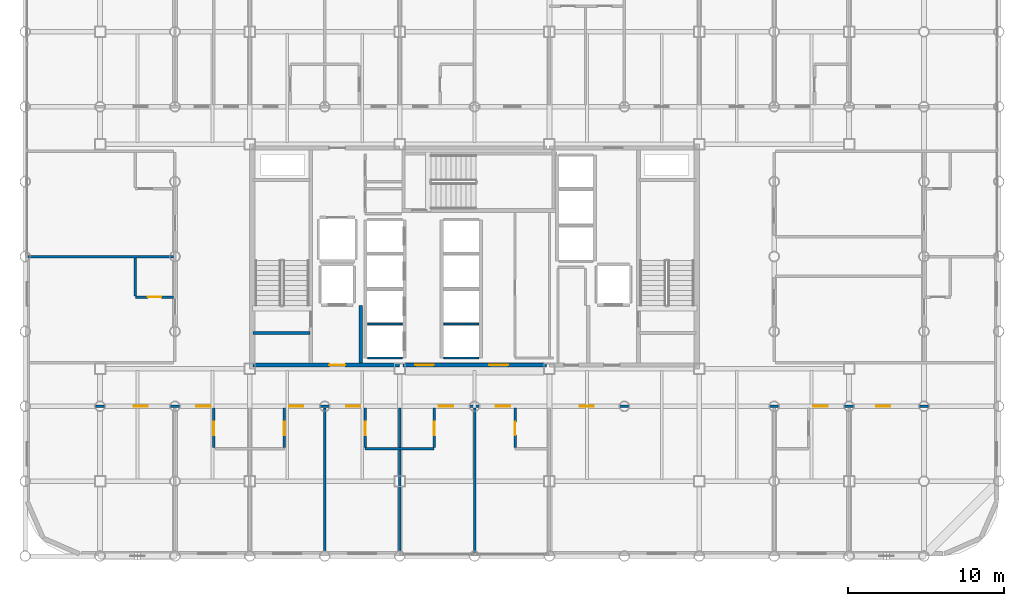
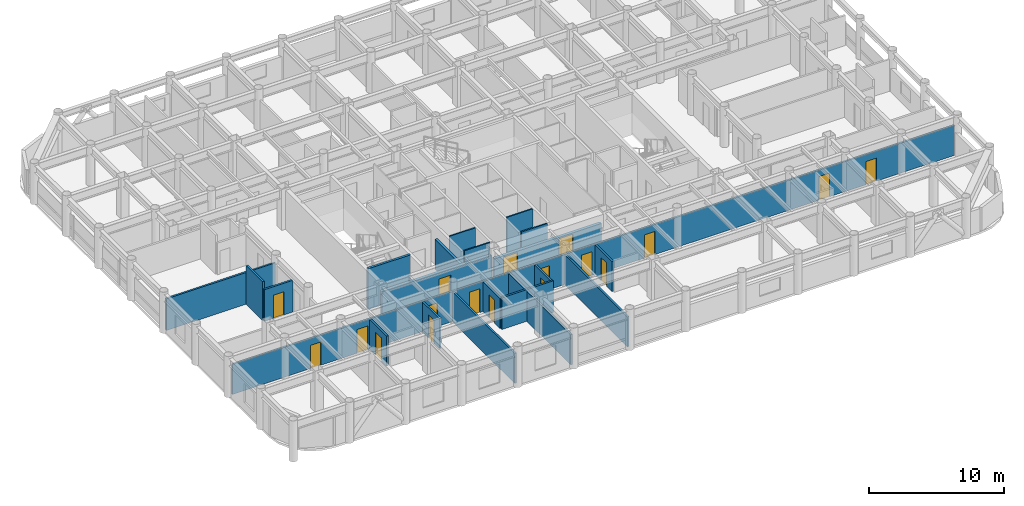
# One storey, part 17 of 22: 21 walls, 18 doors, 18 openings.
"""IFC4 building model written with IfcOpenShell, lengths in metres."""

import ifcopenshell
import ifcopenshell.guid

model = None  # the IFC model being written
_history = None  # IfcOwnerHistory: only IFC2X3 demands one
_inside = {}  # id of a spatial element -> (the spatial element, [elements in it])
_under = {}  # id of a project, library or spatial element -> (it, [spatial elements below it])
_declared = {}  # id of a project -> (the project, [libraries it declares])
_typed = {}  # id of a type object -> (the type object, [elements of that type])
_made_of = {}  # id of a material, layer set ... -> (it, [elements and type objects made of it])


def new_model(schema):
    """Start an empty IFC model of exactly this schema.

    Asked for "IFC4X3", IfcOpenShell would pick the latest addendum, in which some entities
    have other attributes; the version numbers below select the first issue.
    IFC2X3 requires an IfcOwnerHistory on every rooted entity: one is made here for all.
    """
    global model, _history
    if schema == "IFC4X3":
        model = ifcopenshell.file(schema_version=(4, 3, 0, 0))
    else:
        model = ifcopenshell.file(schema=schema)
    _inside.clear()
    _under.clear()
    _declared.clear()
    _typed.clear()
    _made_of.clear()
    _history = None
    if model.schema == "IFC2X3":
        org = make("IfcOrganization", Name="unknown")
        user = make(
            "IfcPersonAndOrganization",
            ThePerson=make("IfcPerson", FamilyName="unknown"),
            TheOrganization=org,
        )
        app = make(
            "IfcApplication",
            ApplicationDeveloper=org,
            Version="unknown",
            ApplicationFullName="unknown",
            ApplicationIdentifier="unknown",
        )
        _history = make(
            "IfcOwnerHistory",
            OwningUser=user,
            OwningApplication=app,
            ChangeAction="ADDED",
            CreationDate=0,
        )
    return model


def make(cls, **values):
    """One entity of the class cls with the attributes given. An attribute that is None is left unset."""
    return model.create_entity(
        cls, **{name: value for name, value in values.items() if value is not None}
    )


def rooted(cls, **values):
    """An entity with a GlobalId (a new one), such as an element, a storey or a relation."""
    return make(cls, GlobalId=ifcopenshell.guid.new(), OwnerHistory=_history, **values)


def si_unit(unit_type, name, prefix=None):
    """IfcSIUnit, for example si_unit("LENGTHUNIT", "METRE", prefix="MILLI")."""
    return make("IfcSIUnit", UnitType=unit_type, Prefix=prefix, Name=name)


def assignment(units):
    """IfcUnitAssignment: the units of a project."""
    return None if units is None else make("IfcUnitAssignment", Units=units)


def point(xyz):
    """IfcCartesianPoint."""
    return None if xyz is None else make("IfcCartesianPoint", Coordinates=xyz)


def direction(xyz):
    """IfcDirection."""
    return None if xyz is None else make("IfcDirection", DirectionRatios=xyz)


def frame(location, z_axis=None, x_axis=None):
    """IfcAxis2Placement3D, a coordinate frame: its origin and axes. An axis left out is left unset."""
    return make(
        "IfcAxis2Placement3D",
        Location=point(location),
        Axis=direction(z_axis),
        RefDirection=direction(x_axis),
    )


def frame_2d(location, x_axis=None):
    """IfcAxis2Placement2D, a coordinate frame in the plane: its origin and x axis."""
    return make(
        "IfcAxis2Placement2D", Location=point(location), RefDirection=direction(x_axis)
    )


def origin():
    """The frame at (0, 0, 0) with its axes left unset."""
    return frame((0.0, 0.0, 0.0))


def place(relative_to, where):
    """IfcLocalPlacement: puts the frame where relative to a parent placement (None: the world)."""
    return make(
        "IfcLocalPlacement", PlacementRelTo=relative_to, RelativePlacement=where
    )


def context(
    kind, dimensions, precision=None, world=None, true_north=None, identifier=None
):
    """IfcGeometricRepresentationContext, for example the 3D "Model" context."""
    return make(
        "IfcGeometricRepresentationContext",
        ContextIdentifier=identifier,
        ContextType=kind,
        CoordinateSpaceDimension=dimensions,
        Precision=precision,
        WorldCoordinateSystem=world,
        TrueNorth=true_north,
    )


def subcontext(parent, identifier, kind, view, scale=None):
    """IfcGeometricRepresentationSubContext, for example "Body" below "Model"."""
    return make(
        "IfcGeometricRepresentationSubContext",
        ContextIdentifier=identifier,
        ContextType=kind,
        ParentContext=parent,
        TargetScale=scale,
        TargetView=view,
    )


def project(units=None, contexts=None):
    """IfcProject with its units and contexts."""
    return rooted(
        "IfcProject",
        Name="project",
        RepresentationContexts=contexts,
        UnitsInContext=assignment(units),
    )


def spatial(cls, under=None, at=None, **own):
    """A site, building, storey or space (cls), placed at a placement, below another one or the project."""
    s = rooted(cls, ObjectPlacement=at, **own)
    if under is not None:
        _under.setdefault(under.id(), (under, []))[1].append(s)
    return s


def profile(cls, at=None, kind="AREA", **sizes):
    """A parametric profile (cls). Its sizes go by their IFC names, for example OverallWidth=200.0."""
    return make(cls, ProfileType=kind, Position=at, **sizes)


def rectangle(**sizes):
    """IfcRectangleProfileDef."""
    return profile("IfcRectangleProfileDef", **sizes)


def extrude(swept, where, along, depth):
    """IfcExtrudedAreaSolid: the profile swept, set in the frame where, extruded along a direction by depth."""
    return make(
        "IfcExtrudedAreaSolid",
        SweptArea=swept,
        Position=where,
        ExtrudedDirection=direction(along),
        Depth=depth,
    )


def shape(context_of_items, identifier, shape_type, items):
    """IfcShapeRepresentation: the items that make up one representation, for example the "Body"."""
    return make(
        "IfcShapeRepresentation",
        ContextOfItems=context_of_items,
        RepresentationIdentifier=identifier,
        RepresentationType=shape_type,
        Items=items,
    )


def material(Name=None, Category=None):
    """IfcMaterial."""
    return make("IfcMaterial", Name=Name, Category=Category)


def layer(
    of_material, thickness, ventilated=None, Name=None, Category=None, Priority=None
):
    """IfcMaterialLayer: one layer of a wall or slab, of a material (None: an air gap)."""
    return make(
        "IfcMaterialLayer",
        Material=of_material,
        LayerThickness=thickness,
        IsVentilated=ventilated,
        Name=Name,
        Category=Category,
        Priority=Priority,
    )


def layer_set(layers, Name=None):
    """IfcMaterialLayerSet."""
    return make("IfcMaterialLayerSet", MaterialLayers=layers, LayerSetName=Name)


def made_of(thing, what):
    """Note that an element or type object is made of a material, layer set ...; save() writes the relation."""
    if what is not None:
        _made_of.setdefault(what.id(), (what, []))[1].append(thing)
    return thing


def type_object(cls, material=None, **own):
    """A type object (cls), such as IfcWallType, which elements share."""
    return made_of(rooted(cls, **own), material)


def element(
    cls,
    number,
    at=None,
    inside=None,
    cuts=None,
    type_object=None,
    material=None,
    context=None,
    identifier="Body",
    shape_type=None,
    held_by="IfcProductDefinitionShape",
    body=None,
    shapes=None,
    **own,
):
    """One element of the class cls, such as IfcWall. Its Tag is "e" and its number.

    at: its placement. inside: the storey or other place that contains it. cuts: it is an
    opening in that element (IfcRelVoidsElement). A single representation is given by context,
    identifier, shape_type and body (its items); several are given by shapes. held_by: the class
    of the entity that holds the representations. save() writes the other relations.
    """
    e = rooted(cls, Tag="e%d" % number, ObjectPlacement=at, **own)
    if body is not None:
        shapes = [shape(context, identifier, shape_type, body)]
    if shapes is not None:
        e.Representation = make(held_by, Representations=shapes)
    if inside is not None:
        _inside.setdefault(inside.id(), (inside, []))[1].append(e)
    if cuts is not None:
        rooted(
            "IfcRelVoidsElement", RelatingBuildingElement=cuts, RelatedOpeningElement=e
        )
    if type_object is not None:
        _typed.setdefault(type_object.id(), (type_object, []))[1].append(e)
    return made_of(e, material)


def fill(opening, filler):
    """IfcRelFillsElement: the door or window that sits in an opening."""
    return rooted(
        "IfcRelFillsElement",
        RelatingOpeningElement=opening,
        RelatedBuildingElement=filler,
    )


def aggregate(whole, parts):
    """IfcRelAggregates: a whole, such as a stair, and the parts it consists of."""
    return rooted("IfcRelAggregates", RelatingObject=whole, RelatedObjects=parts)


def save(model, path):
    """Write the relations noted so far, then the file.

    IfcRelAggregates (storeys below a building ...), IfcRelContainedInSpatialStructure (elements
    in a storey), IfcRelDefinesByType, IfcRelAssociatesMaterial and IfcRelDeclares: one each for
    every whole, place, type object, material and project.
    """
    for whole, parts in _under.values():
        aggregate(whole, parts)
    for where, things in _inside.values():
        rooted(
            "IfcRelContainedInSpatialStructure",
            RelatedElements=things,
            RelatingStructure=where,
        )
    for kind, things in _typed.values():
        rooted("IfcRelDefinesByType", RelatedObjects=things, RelatingType=kind)
    for what, things in _made_of.values():
        rooted("IfcRelAssociatesMaterial", RelatedObjects=things, RelatingMaterial=what)
    for by, libraries in _declared.values():
        rooted("IfcRelDeclares", RelatingContext=by, RelatedDefinitions=libraries)
    model.write(path)


model = new_model("IFC4")

# Units and contexts
model_context = context("Model", 3, precision=1e-05, world=origin(), true_north=direction((0.0, 1.0)))
body_context = subcontext(model_context, "Body", "Model", "MODEL_VIEW")
ifc_project = project(units=[si_unit("LENGTHUNIT", "METRE"), si_unit("AREAUNIT", "SQUARE_METRE"), si_unit("VOLUMEUNIT", "CUBIC_METRE"), si_unit("PLANEANGLEUNIT", "RADIAN"), si_unit("MASSUNIT", "GRAM", prefix="KILO")], contexts=[model_context])

# Site, building, storey
site_placement = place(None, origin())
site = spatial("IfcSite", under=ifc_project, at=site_placement, CompositionType="ELEMENT")
building_placement = place(site_placement, origin())
building = spatial("IfcBuilding", under=site, at=building_placement, Name="Kallvorn Hotel Tower", CompositionType="ELEMENT")
storey_placement = place(building_placement, frame((0.0, 0.0, 106.300048828125)))
storey = spatial("IfcBuildingStorey", under=building, at=storey_placement, Name="L25", CompositionType="ELEMENT", Elevation=106.300048828125)

# Wall
ifc_material_1 = material(Name="Fire-rated double-layer acoustic gypsum drywall EI 60")
ifc_layer_1 = layer(ifc_material_1, 0.159912109375)
ifc_layer_set_1 = layer_set([ifc_layer_1], Name="WL_DEMISE_160")
wall_type_1 = type_object("IfcWallType", Name="WL_DEMISE_160", PredefinedType="PARTITIONING", material=ifc_layer_set_1)
wall_1_placement = place(storey_placement, frame((-7.010009765625, -12.320068359375, 0.0), z_axis=(0.0, 0.0, 1.0), x_axis=(1.0, 0.0, 0.0)))
element("IfcWall", 1, at=wall_1_placement, inside=storey, type_object=wall_type_1, Name="L25 Suite 2507 Superior Twin Room Partition", PredefinedType="PARTITIONING", context=body_context, shape_type="SweptSolid", body=[
    extrude(rectangle(XDim=4.419921875, YDim=0.159912109375, at=frame_2d((2.2099609375, 0.0))), origin(), (0.0, 0.0, 1.0), 2.869873046875),
])

# Wall, openings, doors
wall_2_placement = place(storey_placement, frame((-28.510009765625, -9.60009765625, 0.0), z_axis=(0.0, 0.0, 1.0), x_axis=(1.0, 0.0, 0.0)))
wall_2 = element("IfcWall", 2, at=wall_2_placement, inside=storey, type_object=wall_type_1, Name="L25 Suite 2505 Superior Twin Room Partition", PredefinedType="PARTITIONING", context=body_context, shape_type="SweptSolid", body=[
    extrude(rectangle(XDim=61.820068359375, YDim=0.159912109375, at=frame_2d((30.91015625, 0.0))), origin(), (0.0, 0.0, 1.0), 2.719970703125),
])
opening_1_placement = place(wall_2_placement, frame((6.679443359375, 0.0, 0.0)))
opening_1 = element("IfcOpeningElement", 3, at=opening_1_placement, cuts=wall_2, Name="Opening SVD1", PredefinedType="OPENING", context=body_context, shape_type="SweptSolid", body=[
    extrude(rectangle(XDim=0.89990234375, YDim=2.10009765625, at=frame_2d((0.449951171875, 1.050048828125))), frame((0.0, 0.094970703125, 0.0), z_axis=(0.0, -1.0, 0.0), x_axis=(1.0, 0.0, 0.0)), (0.0, 0.0, 1.0), 0.18994140625),
])
opening_2_placement = place(wall_2_placement, frame((54.240478515625, 0.0, 0.0)))
opening_2 = element("IfcOpeningElement", 4, at=opening_2_placement, cuts=wall_2, Name="Opening SVD1", PredefinedType="OPENING", context=body_context, shape_type="SweptSolid", body=[
    extrude(rectangle(XDim=0.89990234375, YDim=2.10009765625, at=frame_2d((0.449951171875, 1.050048828125))), frame((0.0, 0.094970703125, 0.0), z_axis=(0.0, -1.0, 0.0), x_axis=(1.0, 0.0, 0.0)), (0.0, 0.0, 1.0), 0.18994140625),
])
opening_3_placement = place(wall_2_placement, frame((10.679931640625, 0.0, 0.0)))
opening_3 = element("IfcOpeningElement", 5, at=opening_3_placement, cuts=wall_2, Name="Opening GD1", PredefinedType="OPENING", context=body_context, shape_type="SweptSolid", body=[
    extrude(rectangle(XDim=0.919921875, YDim=2.14990234375, at=frame_2d((0.4599609375, 1.074951171875))), frame((0.0, 0.094970703125, 0.0), z_axis=(0.0, -1.0, 0.0), x_axis=(1.0, 0.0, 0.0)), (0.0, 0.0, 1.0), 0.18994140625),
])
opening_4_placement = place(wall_2_placement, frame((16.6201171875, 0.0, 0.0)))
opening_4 = element("IfcOpeningElement", 6, at=opening_4_placement, cuts=wall_2, Name="Opening GD1", PredefinedType="OPENING", context=body_context, shape_type="SweptSolid", body=[
    extrude(rectangle(XDim=0.919921875, YDim=2.14990234375, at=frame_2d((0.4599609375, 1.074951171875))), frame((0.0, 0.094970703125, 0.0), z_axis=(0.0, -1.0, 0.0), x_axis=(1.0, 0.0, 0.0)), (0.0, 0.0, 1.0), 0.18994140625),
])
opening_5_placement = place(wall_2_placement, frame((20.280029296875, 0.0, 0.0)))
opening_5 = element("IfcOpeningElement", 7, at=opening_5_placement, cuts=wall_2, Name="Opening GD1", PredefinedType="OPENING", context=body_context, shape_type="SweptSolid", body=[
    extrude(rectangle(XDim=0.919921875, YDim=2.14990234375, at=frame_2d((0.4599609375, 1.074951171875))), frame((0.0, 0.094970703125, 0.0), z_axis=(0.0, -1.0, 0.0), x_axis=(1.0, 0.0, 0.0)), (0.0, 0.0, 1.0), 0.18994140625),
])
opening_6_placement = place(wall_2_placement, frame((26.219970703125, 0.0, 0.0)))
opening_6 = element("IfcOpeningElement", 8, at=opening_6_placement, cuts=wall_2, Name="Opening GD1", PredefinedType="OPENING", context=body_context, shape_type="SweptSolid", body=[
    extrude(rectangle(XDim=0.919921875, YDim=2.14990234375, at=frame_2d((0.4599609375, 1.074951171875))), frame((0.0, 0.094970703125, 0.0), z_axis=(0.0, -1.0, 0.0), x_axis=(1.0, 0.0, 0.0)), (0.0, 0.0, 1.0), 0.18994140625),
])
opening_7_placement = place(wall_2_placement, frame((29.8798828125, 0.0, 0.0)))
opening_7 = element("IfcOpeningElement", 9, at=opening_7_placement, cuts=wall_2, Name="Opening GD1", PredefinedType="OPENING", context=body_context, shape_type="SweptSolid", body=[
    extrude(rectangle(XDim=0.919921875, YDim=2.14990234375, at=frame_2d((0.4599609375, 1.074951171875))), frame((0.0, 0.094970703125, 0.0), z_axis=(0.0, -1.0, 0.0), x_axis=(1.0, 0.0, 0.0)), (0.0, 0.0, 1.0), 0.18994140625),
])
opening_8_placement = place(wall_2_placement, frame((35.260009765625, 0.0, 0.0)))
opening_8 = element("IfcOpeningElement", 10, at=opening_8_placement, cuts=wall_2, Name="Opening SVD1", PredefinedType="OPENING", context=body_context, shape_type="SweptSolid", body=[
    extrude(rectangle(XDim=0.89990234375, YDim=2.10009765625, at=frame_2d((0.449951171875, 1.050048828125))), frame((0.0, 0.094970703125, 0.0), z_axis=(0.0, -1.0, 0.0), x_axis=(1.0, 0.0, 0.0)), (0.0, 0.0, 1.0), 0.18994140625),
])
opening_9_placement = place(wall_2_placement, frame((50.219970703125, 0.0, 0.0)))
opening_9 = element("IfcOpeningElement", 11, at=opening_9_placement, cuts=wall_2, Name="Opening GD1", PredefinedType="OPENING", context=body_context, shape_type="SweptSolid", body=[
    extrude(rectangle(XDim=0.919921875, YDim=2.14990234375, at=frame_2d((0.4599609375, 1.074951171875))), frame((0.0, 0.094970703125, 0.0), z_axis=(0.0, -1.0, 0.0), x_axis=(1.0, 0.0, 0.0)), (0.0, 0.0, 1.0), 0.18994140625),
])
ifc_material_2 = material(Name="Solid-core walnut veneer fire-rated timber door leaf", Category="wood")
door_type_1 = type_object("IfcDoorType", Name="DR_GUEST_920x2150", OperationType="NOTDEFINED", PredefinedType="DOOR", material=ifc_material_2)
door_1_placement = place(opening_3_placement, origin())
door_1 = element("IfcDoor", 12, at=door_1_placement, inside=storey, type_object=door_type_1, Name="L25 Suite 2505 Superior Twin Room Door", OperationType="SINGLE_SWING_LEFT", OverallHeight=2.14990234375, OverallWidth=0.919921875, PredefinedType="DOOR", context=body_context, shape_type="SweptSolid", body=[
    extrude(rectangle(XDim=0.919921875, YDim=2.14990234375, at=frame_2d((0.4599609375, 1.074951171875))), frame((0.0, 0.02490234375, 0.0), z_axis=(0.0, -1.0, 0.0), x_axis=(1.0, 0.0, 0.0)), (0.0, 0.0, 1.0), 0.050048828125),
])
fill(opening_3, door_1)
door_2_placement = place(opening_4_placement, origin())
door_2 = element("IfcDoor", 13, at=door_2_placement, inside=storey, type_object=door_type_1, Name="L25 Suite 2506 Superior Twin Room Door", OperationType="SINGLE_SWING_RIGHT", OverallHeight=2.14990234375, OverallWidth=0.919921875, PredefinedType="DOOR", context=body_context, shape_type="SweptSolid", body=[
    extrude(rectangle(XDim=0.919921875, YDim=2.14990234375, at=frame_2d((0.4599609375, 1.074951171875))), frame((0.0, 0.02490234375, 0.0), z_axis=(0.0, -1.0, 0.0), x_axis=(1.0, 0.0, 0.0)), (0.0, 0.0, 1.0), 0.050048828125),
])
fill(opening_4, door_2)
door_3_placement = place(opening_5_placement, origin())
door_3 = element("IfcDoor", 14, at=door_3_placement, inside=storey, type_object=door_type_1, Name="L25 Suite 2507 Superior Twin Room Door", OperationType="SINGLE_SWING_LEFT", OverallHeight=2.14990234375, OverallWidth=0.919921875, PredefinedType="DOOR", context=body_context, shape_type="SweptSolid", body=[
    extrude(rectangle(XDim=0.919921875, YDim=2.14990234375, at=frame_2d((0.4599609375, 1.074951171875))), frame((0.0, 0.02490234375, 0.0), z_axis=(0.0, -1.0, 0.0), x_axis=(1.0, 0.0, 0.0)), (0.0, 0.0, 1.0), 0.050048828125),
])
fill(opening_5, door_3)
door_4_placement = place(opening_6_placement, origin())
door_4 = element("IfcDoor", 15, at=door_4_placement, inside=storey, type_object=door_type_1, Name="L25 Suite 2508 Superior Twin Room Door", OperationType="SINGLE_SWING_RIGHT", OverallHeight=2.14990234375, OverallWidth=0.919921875, PredefinedType="DOOR", context=body_context, shape_type="SweptSolid", body=[
    extrude(rectangle(XDim=0.919921875, YDim=2.14990234375, at=frame_2d((0.4599609375, 1.074951171875))), frame((0.0, 0.02490234375, 0.0), z_axis=(0.0, -1.0, 0.0), x_axis=(1.0, 0.0, 0.0)), (0.0, 0.0, 1.0), 0.050048828125),
])
fill(opening_6, door_4)
door_5_placement = place(opening_7_placement, origin())
door_5 = element("IfcDoor", 16, at=door_5_placement, inside=storey, type_object=door_type_1, Name="L25 Suite 2509 Superior Twin Room Door", OperationType="SINGLE_SWING_RIGHT", OverallHeight=2.14990234375, OverallWidth=0.919921875, PredefinedType="DOOR", context=body_context, shape_type="SweptSolid", body=[
    extrude(rectangle(XDim=0.919921875, YDim=2.14990234375, at=frame_2d((0.4599609375, 1.074951171875))), frame((0.0, 0.02490234375, 0.0), z_axis=(0.0, -1.0, 0.0), x_axis=(1.0, 0.0, 0.0)), (0.0, 0.0, 1.0), 0.050048828125),
])
fill(opening_7, door_5)
door_6_placement = place(opening_9_placement, origin())
door_6 = element("IfcDoor", 17, at=door_6_placement, inside=storey, type_object=door_type_1, Name="L25 Suite 2510 Superior Twin Room Door", OperationType="SINGLE_SWING_LEFT", OverallHeight=2.14990234375, OverallWidth=0.919921875, PredefinedType="DOOR", context=body_context, shape_type="SweptSolid", body=[
    extrude(rectangle(XDim=0.919921875, YDim=2.14990234375, at=frame_2d((0.4599609375, 1.074951171875))), frame((0.0, 0.02490234375, 0.0), z_axis=(0.0, -1.0, 0.0), x_axis=(1.0, 0.0, 0.0)), (0.0, 0.0, 1.0), 0.050048828125),
])
fill(opening_9, door_6)
ifc_material_3 = material(Name="Galvanised painted steel fire-rated door assembly", Category="steel")
door_type_2 = type_object("IfcDoorType", Name="DR_SERV_900x2100", OperationType="NOTDEFINED", PredefinedType="DOOR", material=ifc_material_3)
door_7_placement = place(opening_1_placement, origin())
door_7 = element("IfcDoor", 18, at=door_7_placement, inside=storey, type_object=door_type_2, Name="L25 L25 South-West Botanical Bar Door", OperationType="SINGLE_SWING_RIGHT", OverallHeight=2.10009765625, OverallWidth=0.89990234375, PredefinedType="DOOR", context=body_context, shape_type="SweptSolid", body=[
    extrude(rectangle(XDim=0.89990234375, YDim=2.10009765625, at=frame_2d((0.449951171875, 1.050048828125))), frame((0.0, 0.02490234375, 0.0), z_axis=(0.0, -1.0, 0.0), x_axis=(1.0, 0.0, 0.0)), (0.0, 0.0, 1.0), 0.050048828125),
])
fill(opening_1, door_7)
door_8_placement = place(opening_2_placement, origin())
door_8 = element("IfcDoor", 19, at=door_8_placement, inside=storey, type_object=door_type_2, Name="L25 L25 South-East Sommelier Bar Door", OperationType="SINGLE_SWING_RIGHT", OverallHeight=2.10009765625, OverallWidth=0.89990234375, PredefinedType="DOOR", context=body_context, shape_type="SweptSolid", body=[
    extrude(rectangle(XDim=0.89990234375, YDim=2.10009765625, at=frame_2d((0.449951171875, 1.050048828125))), frame((0.0, 0.02490234375, 0.0), z_axis=(0.0, -1.0, 0.0), x_axis=(1.0, 0.0, 0.0)), (0.0, 0.0, 1.0), 0.050048828125),
])
fill(opening_2, door_8)
door_9_placement = place(opening_8_placement, origin())
door_9 = element("IfcDoor", 20, at=door_9_placement, inside=storey, type_object=door_type_2, Name="L25 L25 Curated Emerald Craft Retail Boutique 6 Door", OperationType="SINGLE_SWING_RIGHT", OverallHeight=2.10009765625, OverallWidth=0.89990234375, PredefinedType="DOOR", context=body_context, shape_type="SweptSolid", body=[
    extrude(rectangle(XDim=0.89990234375, YDim=2.10009765625, at=frame_2d((0.449951171875, 1.050048828125))), frame((0.0, 0.02490234375, 0.0), z_axis=(0.0, -1.0, 0.0), x_axis=(1.0, 0.0, 0.0)), (0.0, 0.0, 1.0), 0.050048828125),
])
fill(opening_8, door_9)

# Wall, opening, door
wall_3_placement = place(storey_placement, frame((-21.72998046875, -2.60009765625, 0.0), z_axis=(0.0, 0.0, 1.0), x_axis=(1.0, 0.0, 0.0)))
wall_3 = element("IfcWall", 21, at=wall_3_placement, inside=storey, type_object=wall_type_1, Name="L25 Suite 2501 W Loggia King Room Partition", PredefinedType="PARTITIONING", context=body_context, shape_type="SweptSolid", body=[
    extrude(rectangle(XDim=2.449951171875, YDim=0.159912109375, at=frame_2d((1.22509765625, 0.0))), origin(), (0.0, 0.0, 1.0), 2.869873046875),
])
opening_10_placement = place(wall_3_placement, frame((0.794921875, 0.0, 0.0)))
opening_10 = element("IfcOpeningElement", 22, at=opening_10_placement, cuts=wall_3, Name="Opening BD-I", PredefinedType="OPENING", context=body_context, shape_type="SweptSolid", body=[
    extrude(rectangle(XDim=0.860107421875, YDim=2.10009765625, at=frame_2d((0.43017578125, 1.050048828125))), frame((0.0, 0.094970703125, 0.0), z_axis=(0.0, -1.0, 0.0), x_axis=(1.0, 0.0, 0.0)), (0.0, 0.0, 1.0), 0.18994140625),
])
ifc_material_4 = material(Name="Solid-core walnut veneer fire-rated timber door leaf", Category="wood")
door_type_3 = type_object("IfcDoorType", Name="DR_BATH_860x2100", OperationType="NOTDEFINED", PredefinedType="DOOR", material=ifc_material_4)
door_10_placement = place(opening_10_placement, origin())
door_10 = element("IfcDoor", 23, at=door_10_placement, inside=storey, type_object=door_type_3, Name="L25 Suite 2501 En-Suite Bathroom Door", OperationType="SINGLE_SWING_RIGHT", OverallHeight=2.10009765625, OverallWidth=0.860107421875, PredefinedType="DOOR", context=body_context, shape_type="SweptSolid", body=[
    extrude(rectangle(XDim=0.860107421875, YDim=2.10009765625, at=frame_2d((0.43017578125, 1.050048828125))), frame((0.0, 0.02490234375, 0.0), z_axis=(0.0, -1.0, 0.0), x_axis=(1.0, 0.0, 0.0)), (0.0, 0.0, 1.0), 0.050048828125),
])
fill(opening_10, door_10)

# Walls
wall_4_placement = place(storey_placement, frame((-28.6298828125, 0.0, 0.0), z_axis=(0.0, 0.0, 1.0), x_axis=(1.0, 0.0, 0.0)))
element("IfcWall", 24, at=wall_4_placement, inside=storey, type_object=wall_type_1, Name="L25 Suite 2502 W Andean Twin Room Partition", PredefinedType="PARTITIONING", context=body_context, shape_type="SweptSolid", body=[
    extrude(rectangle(XDim=9.349853515625, YDim=0.159912109375, at=frame_2d((4.6748046875, 0.0))), origin(), (0.0, 0.0, 1.0), 2.869873046875),
])
wall_5_placement = place(storey_placement, frame((-21.72998046875, -2.514892578125, 0.0), z_axis=(0.0, 0.0, 1.0), x_axis=(0.0, 1.0, 0.0)))
element("IfcWall", 25, at=wall_5_placement, inside=storey, type_object=wall_type_1, Name="L25 Suite 2501 W Loggia King Room Partition", PredefinedType="PARTITIONING", context=body_context, shape_type="SweptSolid", body=[
    extrude(rectangle(XDim=2.414794921875, YDim=0.159912109375, at=frame_2d((1.20751953125, 0.0))), origin(), (0.0, 0.0, 1.0), 3.52001953125),
])

# Wall, opening, door
wall_6_placement = place(storey_placement, frame((-16.705078125, -12.235107421875, 0.0), z_axis=(0.0, 0.0, 1.0), x_axis=(0.0, 1.0, 0.0)))
wall_6 = element("IfcWall", 26, at=wall_6_placement, inside=storey, type_object=wall_type_1, Name="L25 Suite 2505 Superior Twin Room Partition", PredefinedType="PARTITIONING", context=body_context, shape_type="SweptSolid", body=[
    extrude(rectangle(XDim=2.51513671875, YDim=0.159912109375, at=frame_2d((1.257568359375, 0.0))), origin(), (0.0, 0.0, 1.0), 2.719970703125),
])
opening_11_placement = place(wall_6_placement, frame((0.784912109375, 0.0, 0.0)))
opening_11 = element("IfcOpeningElement", 27, at=opening_11_placement, cuts=wall_6, Name="Opening BD-I", PredefinedType="OPENING", context=body_context, shape_type="SweptSolid", body=[
    extrude(rectangle(XDim=0.860107421875, YDim=2.10009765625, at=frame_2d((0.43017578125, 1.050048828125))), frame((0.0, 0.094970703125, 0.0), z_axis=(0.0, -1.0, 0.0), x_axis=(1.0, 0.0, 0.0)), (0.0, 0.0, 1.0), 0.18994140625),
])
door_11_placement = place(opening_11_placement, origin())
door_11 = element("IfcDoor", 28, at=door_11_placement, inside=storey, type_object=door_type_3, Name="L25 Suite 2505 En-Suite Bathroom Door", OperationType="SINGLE_SWING_LEFT", OverallHeight=2.10009765625, OverallWidth=0.860107421875, PredefinedType="DOOR", context=body_context, shape_type="SweptSolid", body=[
    extrude(rectangle(XDim=0.860107421875, YDim=2.10009765625, at=frame_2d((0.43017578125, 1.050048828125))), frame((0.0, 0.02490234375, 0.0), z_axis=(0.0, -1.0, 0.0), x_axis=(1.0, 0.0, 0.0)), (0.0, 0.0, 1.0), 0.050048828125),
])
fill(opening_11, door_11)

wall_7_placement = place(storey_placement, frame((-12.18994140625, -12.235107421875, 0.0), z_axis=(0.0, 0.0, 1.0), x_axis=(0.0, 1.0, 0.0)))
wall_7 = element("IfcWall", 29, at=wall_7_placement, inside=storey, type_object=wall_type_1, Name="L25 Suite 2506 Superior Twin Room Partition", PredefinedType="PARTITIONING", context=body_context, shape_type="SweptSolid", body=[
    extrude(rectangle(XDim=2.51513671875, YDim=0.159912109375, at=frame_2d((1.257568359375, 0.0))), origin(), (0.0, 0.0, 1.0), 2.719970703125),
])
opening_12_placement = place(wall_7_placement, frame((0.784912109375, 0.0, 0.0)))
opening_12 = element("IfcOpeningElement", 30, at=opening_12_placement, cuts=wall_7, Name="Opening BD-I", PredefinedType="OPENING", context=body_context, shape_type="SweptSolid", body=[
    extrude(rectangle(XDim=0.860107421875, YDim=2.10009765625, at=frame_2d((0.43017578125, 1.050048828125))), frame((0.0, 0.094970703125, 0.0), z_axis=(0.0, -1.0, 0.0), x_axis=(1.0, 0.0, 0.0)), (0.0, 0.0, 1.0), 0.18994140625),
])
door_12_placement = place(opening_12_placement, origin())
door_12 = element("IfcDoor", 31, at=door_12_placement, inside=storey, type_object=door_type_3, Name="L25 Suite 2506 En-Suite Bathroom Door", OperationType="SINGLE_SWING_LEFT", OverallHeight=2.10009765625, OverallWidth=0.860107421875, PredefinedType="DOOR", context=body_context, shape_type="SweptSolid", body=[
    extrude(rectangle(XDim=0.860107421875, YDim=2.10009765625, at=frame_2d((0.43017578125, 1.050048828125))), frame((0.0, 0.02490234375, 0.0), z_axis=(0.0, -1.0, 0.0), x_axis=(1.0, 0.0, 0.0)), (0.0, 0.0, 1.0), 0.050048828125),
])
fill(opening_12, door_12)

# Wall
wall_8_placement = place(storey_placement, frame((-9.60009765625, -18.909912109375, 0.0), z_axis=(0.0, 0.0, 1.0), x_axis=(0.0, 1.0, 0.0)))
element("IfcWall", 32, at=wall_8_placement, inside=storey, type_object=wall_type_1, Name="L25 Suite 2506 Superior Twin Room Partition", PredefinedType="PARTITIONING", context=body_context, shape_type="SweptSolid", body=[
    extrude(rectangle(XDim=9.18994140625, YDim=0.159912109375, at=frame_2d((4.594970703125, 0.0))), origin(), (0.0, 0.0, 1.0), 2.719970703125),
])

# Wall, opening, door
wall_9_placement = place(storey_placement, frame((-7.0048828125, -12.235107421875, 0.0), z_axis=(0.0, 0.0, 1.0), x_axis=(0.0, 1.0, 0.0)))
wall_9 = element("IfcWall", 33, at=wall_9_placement, inside=storey, type_object=wall_type_1, Name="L25 Suite 2507 Superior Twin Room Partition", PredefinedType="PARTITIONING", context=body_context, shape_type="SweptSolid", body=[
    extrude(rectangle(XDim=2.51513671875, YDim=0.159912109375, at=frame_2d((1.257568359375, 0.0))), origin(), (0.0, 0.0, 1.0), 2.719970703125),
])
opening_13_placement = place(wall_9_placement, frame((0.784912109375, 0.0, 0.0)))
opening_13 = element("IfcOpeningElement", 34, at=opening_13_placement, cuts=wall_9, Name="Opening BD-I", PredefinedType="OPENING", context=body_context, shape_type="SweptSolid", body=[
    extrude(rectangle(XDim=0.860107421875, YDim=2.10009765625, at=frame_2d((0.43017578125, 1.050048828125))), frame((0.0, 0.094970703125, 0.0), z_axis=(0.0, -1.0, 0.0), x_axis=(1.0, 0.0, 0.0)), (0.0, 0.0, 1.0), 0.18994140625),
])
door_13_placement = place(opening_13_placement, origin())
door_13 = element("IfcDoor", 35, at=door_13_placement, inside=storey, type_object=door_type_3, Name="L25 Suite 2507 En-Suite Bathroom Door", OperationType="SINGLE_SWING_LEFT", OverallHeight=2.10009765625, OverallWidth=0.860107421875, PredefinedType="DOOR", context=body_context, shape_type="SweptSolid", body=[
    extrude(rectangle(XDim=0.860107421875, YDim=2.10009765625, at=frame_2d((0.43017578125, 1.050048828125))), frame((0.0, 0.02490234375, 0.0), z_axis=(0.0, -1.0, 0.0), x_axis=(1.0, 0.0, 0.0)), (0.0, 0.0, 1.0), 0.050048828125),
])
fill(opening_13, door_13)

# Wall
wall_10_placement = place(storey_placement, frame((-4.800048828125, -18.909912109375, 0.0), z_axis=(0.0, 0.0, 1.0), x_axis=(0.0, 1.0, 0.0)))
element("IfcWall", 36, at=wall_10_placement, inside=storey, type_object=wall_type_1, Name="L25 Suite 2507 Superior Twin Room Partition", PredefinedType="PARTITIONING", context=body_context, shape_type="SweptSolid", body=[
    extrude(rectangle(XDim=9.18994140625, YDim=0.159912109375, at=frame_2d((4.594970703125, 0.0))), origin(), (0.0, 0.0, 1.0), 2.719970703125),
])

# Wall, opening, door
wall_11_placement = place(storey_placement, frame((-2.590087890625, -12.235107421875, 0.0), z_axis=(0.0, 0.0, 1.0), x_axis=(0.0, 1.0, 0.0)))
wall_11 = element("IfcWall", 37, at=wall_11_placement, inside=storey, type_object=wall_type_1, Name="L25 Suite 2508 Superior Twin Room Partition", PredefinedType="PARTITIONING", context=body_context, shape_type="SweptSolid", body=[
    extrude(rectangle(XDim=2.51513671875, YDim=0.159912109375, at=frame_2d((1.257568359375, 0.0))), origin(), (0.0, 0.0, 1.0), 2.719970703125),
])
opening_14_placement = place(wall_11_placement, frame((0.784912109375, 0.0, 0.0)))
opening_14 = element("IfcOpeningElement", 38, at=opening_14_placement, cuts=wall_11, Name="Opening BD-I", PredefinedType="OPENING", context=body_context, shape_type="SweptSolid", body=[
    extrude(rectangle(XDim=0.860107421875, YDim=2.10009765625, at=frame_2d((0.43017578125, 1.050048828125))), frame((0.0, 0.094970703125, 0.0), z_axis=(0.0, -1.0, 0.0), x_axis=(1.0, 0.0, 0.0)), (0.0, 0.0, 1.0), 0.18994140625),
])
door_14_placement = place(opening_14_placement, origin())
door_14 = element("IfcDoor", 39, at=door_14_placement, inside=storey, type_object=door_type_3, Name="L25 Suite 2508 En-Suite Bathroom Door", OperationType="SINGLE_SWING_LEFT", OverallHeight=2.10009765625, OverallWidth=0.860107421875, PredefinedType="DOOR", context=body_context, shape_type="SweptSolid", body=[
    extrude(rectangle(XDim=0.860107421875, YDim=2.10009765625, at=frame_2d((0.43017578125, 1.050048828125))), frame((0.0, 0.02490234375, 0.0), z_axis=(0.0, -1.0, 0.0), x_axis=(1.0, 0.0, 0.0)), (0.0, 0.0, 1.0), 0.050048828125),
])
fill(opening_14, door_14)

# Wall
wall_12_placement = place(storey_placement, frame((0.0, -18.9951171875, 0.0), z_axis=(0.0, 0.0, 1.0), x_axis=(0.0, 1.0, 0.0)))
element("IfcWall", 40, at=wall_12_placement, inside=storey, type_object=wall_type_1, Name="L25 Suite 2508 Superior Twin Room Partition", PredefinedType="PARTITIONING", context=body_context, shape_type="SweptSolid", body=[
    extrude(rectangle(XDim=9.275146484375, YDim=0.159912109375, at=frame_2d((4.6376953125, 0.0))), origin(), (0.0, 0.0, 1.0), 2.719970703125),
])

# Wall, opening, door
wall_13_placement = place(storey_placement, frame((2.59326171875, -12.235107421875, 0.0), z_axis=(0.0, 0.0, 1.0), x_axis=(0.0, 1.0, 0.0)))
wall_13 = element("IfcWall", 41, at=wall_13_placement, inside=storey, type_object=wall_type_1, Name="L25 Suite 2509 Superior Twin Room Partition", PredefinedType="PARTITIONING", context=body_context, shape_type="SweptSolid", body=[
    extrude(rectangle(XDim=2.51513671875, YDim=0.159912109375, at=frame_2d((1.257568359375, 0.0))), origin(), (0.0, 0.0, 1.0), 2.719970703125),
])
opening_15_placement = place(wall_13_placement, frame((0.784912109375, 0.0, 0.0)))
opening_15 = element("IfcOpeningElement", 42, at=opening_15_placement, cuts=wall_13, Name="Opening BD-I", PredefinedType="OPENING", context=body_context, shape_type="SweptSolid", body=[
    extrude(rectangle(XDim=0.860107421875, YDim=2.10009765625, at=frame_2d((0.43017578125, 1.050048828125))), frame((0.0, 0.094970703125, 0.0), z_axis=(0.0, -1.0, 0.0), x_axis=(1.0, 0.0, 0.0)), (0.0, 0.0, 1.0), 0.18994140625),
])
door_15_placement = place(opening_15_placement, origin())
door_15 = element("IfcDoor", 43, at=door_15_placement, inside=storey, type_object=door_type_3, Name="L25 Suite 2509 En-Suite Bathroom Door", OperationType="SINGLE_SWING_RIGHT", OverallHeight=2.10009765625, OverallWidth=0.860107421875, PredefinedType="DOOR", context=body_context, shape_type="SweptSolid", body=[
    extrude(rectangle(XDim=0.860107421875, YDim=2.10009765625, at=frame_2d((0.43017578125, 1.050048828125))), frame((0.0, 0.02490234375, 0.0), z_axis=(0.0, -1.0, 0.0), x_axis=(1.0, 0.0, 0.0)), (0.0, 0.0, 1.0), 0.050048828125),
])
fill(opening_15, door_15)

# Walls
ifc_material_5 = material(Name="Concrete C40/50", Category="concrete")
ifc_layer_2 = layer(ifc_material_5, 0.219970703125)
ifc_layer_set_2 = layer_set([ifc_layer_2], Name="WL_FFL_220")
wall_type_2 = type_object("IfcWallType", Name="WL_FFL_220", PredefinedType="SOLIDWALL", material=ifc_layer_set_2)
wall_14_placement = place(storey_placement, frame((-7.300048828125, -6.820068359375, 0.0), z_axis=(0.0, 0.0, 1.0), x_axis=(0.0, 1.0, 0.0)))
element("IfcWall", 44, at=wall_14_placement, inside=storey, type_object=wall_type_2, Name="L25 Firefighting Lobby West Divider Wall", PredefinedType="SOLIDWALL", context=body_context, shape_type="SweptSolid", body=[
    extrude(rectangle(XDim=3.670166015625, YDim=0.219970703125, at=frame_2d((1.8349609375, 0.0))), origin(), (0.0, 0.0, 1.0), 2.719970703125),
])
ifc_material_6 = material(Name="Concrete C40/50", Category="concrete")
ifc_layer_3 = layer(ifc_material_6, 0.199951171875)
ifc_layer_set_3 = layer_set([ifc_layer_3], Name="WL_HOIST_200")
wall_type_3 = type_object("IfcWallType", Name="WL_HOIST_200", PredefinedType="SOLIDWALL", material=ifc_layer_set_3)
wall_15_placement = place(storey_placement, frame((-14.199951171875, -4.89990234375, -0.179931640625), z_axis=(0.0, 0.0, 1.0), x_axis=(1.0, 0.0, 0.0)))
element("IfcWall", 45, at=wall_15_placement, inside=storey, type_object=wall_type_3, Name="L25 Stair ST1 South Wall", PredefinedType="SOLIDWALL", context=body_context, shape_type="SweptSolid", body=[
    extrude(rectangle(XDim=3.64990234375, YDim=0.199951171875, at=frame_2d((1.824951171875, 0.0))), origin(), (0.0, 0.0, 1.0), 3.699951171875),
])
ifc_material_7 = material(Name="Fire-rated double-layer acoustic gypsum drywall EI 60")
ifc_layer_4 = layer(ifc_material_7, 0.1201171875)
ifc_layer_set_4 = layer_set([ifc_layer_4], Name="WL_INT_120")
wall_type_4 = type_object("IfcWallType", Name="WL_INT_120", PredefinedType="PARTITIONING", material=ifc_layer_set_4)
for number, where, z_axis, x_axis, name in (
    (46, (-6.860107421875, -6.5, 0.0), (0.0, 0.0, 1.0), (1.0, 0.0, 0.0), "L25 Lift Bank B1 South Closure Wall"),
    (47, (-6.860107421875, -4.324951171875, 0.0), (0.0, 0.0, 1.0), (1.0, 0.0, 0.0), "L25 PL-01 Hoistway Divider"),
):
    element("IfcWall", number, at=place(storey_placement, frame(where, z_axis=z_axis, x_axis=x_axis)), inside=storey, type_object=wall_type_4, Name=name, PredefinedType="PARTITIONING", context=body_context, shape_type="SweptSolid", body=[
        extrude(rectangle(XDim=2.22021484375, YDim=0.1201171875, at=frame_2d((1.110107421875, 0.0))), origin(), (0.0, 0.0, 1.0), 3.52001953125),
    ])
for number, where, z_axis, x_axis, name in (
    (48, (-1.9599609375, -6.5, 0.0), (0.0, 0.0, 1.0), (1.0, 0.0, 0.0), "L25 Lift Bank B2 South Closure Wall"),
    (49, (-1.9599609375, -4.324951171875, 0.0), (0.0, 0.0, 1.0), (1.0, 0.0, 0.0), "L25 PL-05 Hoistway Divider"),
):
    element("IfcWall", number, at=place(storey_placement, frame(where, z_axis=z_axis, x_axis=x_axis)), inside=storey, type_object=wall_type_4, Name=name, PredefinedType="PARTITIONING", context=body_context, shape_type="SweptSolid", body=[
        extrude(rectangle(XDim=2.219970703125, YDim=0.1201171875, at=frame_2d((1.10986328125, 0.0))), origin(), (0.0, 0.0, 1.0), 3.52001953125),
    ])

# Wall, opening, door
ifc_material_8 = material(Name="Concrete C40/50", Category="concrete")
ifc_layer_5 = layer(ifc_material_8, 0.25)
ifc_layer_set_5 = layer_set([ifc_layer_5], Name="WL_SHAFT_250")
wall_type_5 = type_object("IfcWallType", Name="WL_SHAFT_250", PredefinedType="SOLIDWALL", material=ifc_layer_set_5)
wall_16_placement = place(storey_placement, frame((-14.199951171875, -6.949951171875, 0.0), z_axis=(0.0, 0.0, 1.0), x_axis=(1.0, 0.0, 0.0)))
wall_16 = element("IfcWall", 50, at=wall_16_placement, inside=storey, type_object=wall_type_5, Name="L25 Core South-West Wall", PredefinedType="SOLIDWALL", context=body_context, shape_type="SweptSolid", body=[
    extrude(rectangle(XDim=9.39990234375, YDim=0.25, at=frame_2d((4.699951171875, 0.0))), origin(), (0.0, 0.0, 1.0), 2.719970703125),
])
opening_16_placement = place(wall_16_placement, frame((4.89990234375, 0.0, 0.0)))
opening_16 = element("IfcOpeningElement", 51, at=opening_16_placement, cuts=wall_16, Name="Opening FD1", PredefinedType="OPENING", context=body_context, shape_type="SweptSolid", body=[
    extrude(rectangle(XDim=1.0, YDim=2.14990234375, at=frame_2d((0.5, 1.074951171875))), frame((0.0, 0.139892578125, 0.0), z_axis=(0.0, -1.0, 0.0), x_axis=(1.0, 0.0, 0.0)), (0.0, 0.0, 1.0), 0.280029296875),
])
ifc_material_9 = material(Name="Galvanised painted steel fire-rated door assembly", Category="steel")
door_type_4 = type_object("IfcDoorType", Name="DR_FFL_1000x2150", OperationType="NOTDEFINED", PredefinedType="DOOR", material=ifc_material_9)
door_16_placement = place(opening_16_placement, origin())
door_16 = element("IfcDoor", 52, at=door_16_placement, inside=storey, type_object=door_type_4, Name="L25 Firefighting Lobby West Door", OperationType="SINGLE_SWING_RIGHT", OverallHeight=2.14990234375, OverallWidth=1.0, PredefinedType="DOOR", context=body_context, shape_type="SweptSolid", body=[
    extrude(rectangle(XDim=1.0, YDim=2.14990234375, at=frame_2d((0.5, 1.074951171875))), frame((0.0, 0.02490234375, 0.0), z_axis=(0.0, -1.0, 0.0), x_axis=(1.0, 0.0, 0.0)), (0.0, 0.0, 1.0), 0.050048828125),
])
fill(opening_16, door_16)

# Wall, openings, doors
wall_17_placement = place(storey_placement, frame((-4.60009765625, -6.949951171875, 0.0), z_axis=(0.0, 0.0, 1.0), x_axis=(1.0, 0.0, 0.0)))
wall_17 = element("IfcWall", 53, at=wall_17_placement, inside=storey, type_object=wall_type_5, Name="L25 Core South-Central Wall", PredefinedType="SOLIDWALL", context=body_context, shape_type="SweptSolid", body=[
    extrude(rectangle(XDim=9.2001953125, YDim=0.25, at=frame_2d((4.60009765625, 0.0))), origin(), (0.0, 0.0, 1.0), 2.320068359375),
])
opening_17_placement = place(wall_17_placement, frame((0.800048828125, 0.0, 0.0)))
opening_17 = element("IfcOpeningElement", 54, at=opening_17_placement, cuts=wall_17, Name="Opening FD2", PredefinedType="OPENING", context=body_context, shape_type="SweptSolid", body=[
    extrude(rectangle(XDim=1.199951171875, YDim=2.199951171875, at=frame_2d((0.60009765625, 1.10009765625))), frame((0.0, 0.139892578125, 0.0), z_axis=(0.0, -1.0, 0.0), x_axis=(1.0, 0.0, 0.0)), (0.0, 0.0, 1.0), 0.280029296875),
])
opening_18_placement = place(wall_17_placement, frame((5.550048828125, 0.0, 0.0)))
opening_18 = element("IfcOpeningElement", 55, at=opening_18_placement, cuts=wall_17, Name="Opening FD2", PredefinedType="OPENING", context=body_context, shape_type="SweptSolid", body=[
    extrude(rectangle(XDim=1.199951171875, YDim=2.199951171875, at=frame_2d((0.60009765625, 1.10009765625))), frame((0.0, 0.139892578125, 0.0), z_axis=(0.0, -1.0, 0.0), x_axis=(1.0, 0.0, 0.0)), (0.0, 0.0, 1.0), 0.280029296875),
])
ifc_material_10 = material(Name="Galvanised painted steel fire-rated door assembly", Category="steel")
door_type_5 = type_object("IfcDoorType", Name="DR_LOBBY_1200x2200", OperationType="DOUBLE_DOOR_SINGLE_SWING", PredefinedType="DOOR", material=ifc_material_10)
door_17_placement = place(opening_17_placement, origin())
door_17 = element("IfcDoor", 56, at=door_17_placement, inside=storey, type_object=door_type_5, Name="L25 West Passenger Lift Lobby Door", OperationType="DOUBLE_DOOR_SINGLE_SWING", OverallHeight=2.199951171875, OverallWidth=1.199951171875, PredefinedType="DOOR", context=body_context, shape_type="SweptSolid", body=[
    extrude(rectangle(XDim=1.199951171875, YDim=2.199951171875, at=frame_2d((0.60009765625, 1.10009765625))), frame((0.0, 0.02490234375, 0.0), z_axis=(0.0, -1.0, 0.0), x_axis=(1.0, 0.0, 0.0)), (0.0, 0.0, 1.0), 0.050048828125),
])
fill(opening_17, door_17)
door_18_placement = place(opening_18_placement, origin())
door_18 = element("IfcDoor", 57, at=door_18_placement, inside=storey, type_object=door_type_5, Name="L25 East Passenger Lift Lobby Door", OperationType="DOUBLE_DOOR_SINGLE_SWING", OverallHeight=2.199951171875, OverallWidth=1.199951171875, PredefinedType="DOOR", context=body_context, shape_type="SweptSolid", body=[
    extrude(rectangle(XDim=1.199951171875, YDim=2.199951171875, at=frame_2d((0.60009765625, 1.10009765625))), frame((0.0, 0.02490234375, 0.0), z_axis=(0.0, -1.0, 0.0), x_axis=(1.0, 0.0, 0.0)), (0.0, 0.0, 1.0), 0.050048828125),
])
fill(opening_18, door_18)

save(model, "model.ifc")
